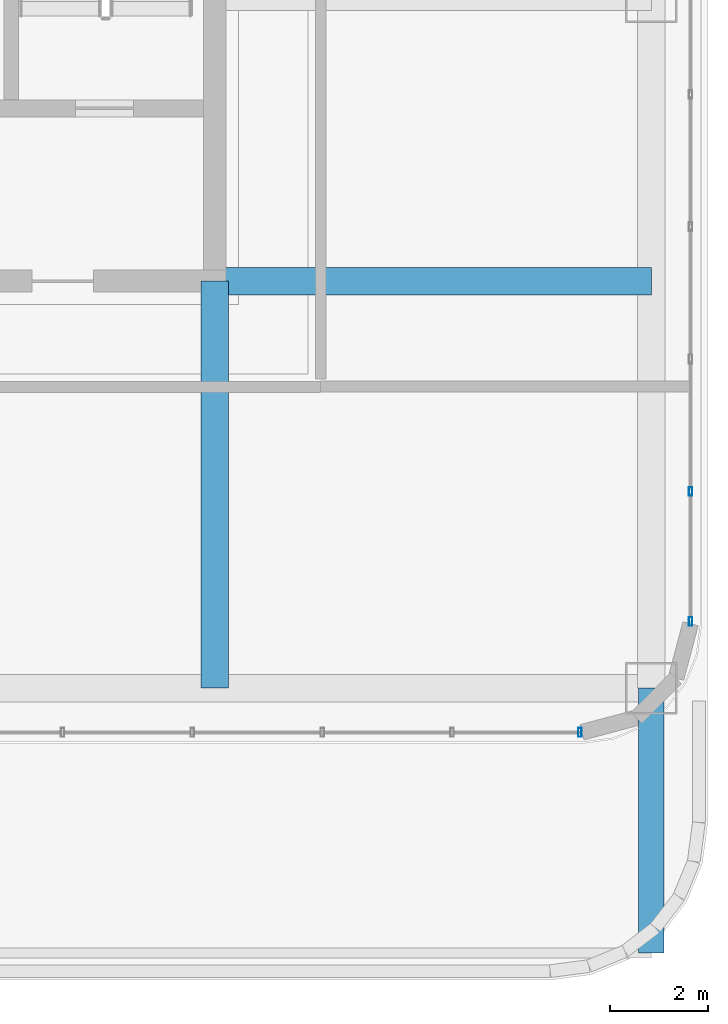
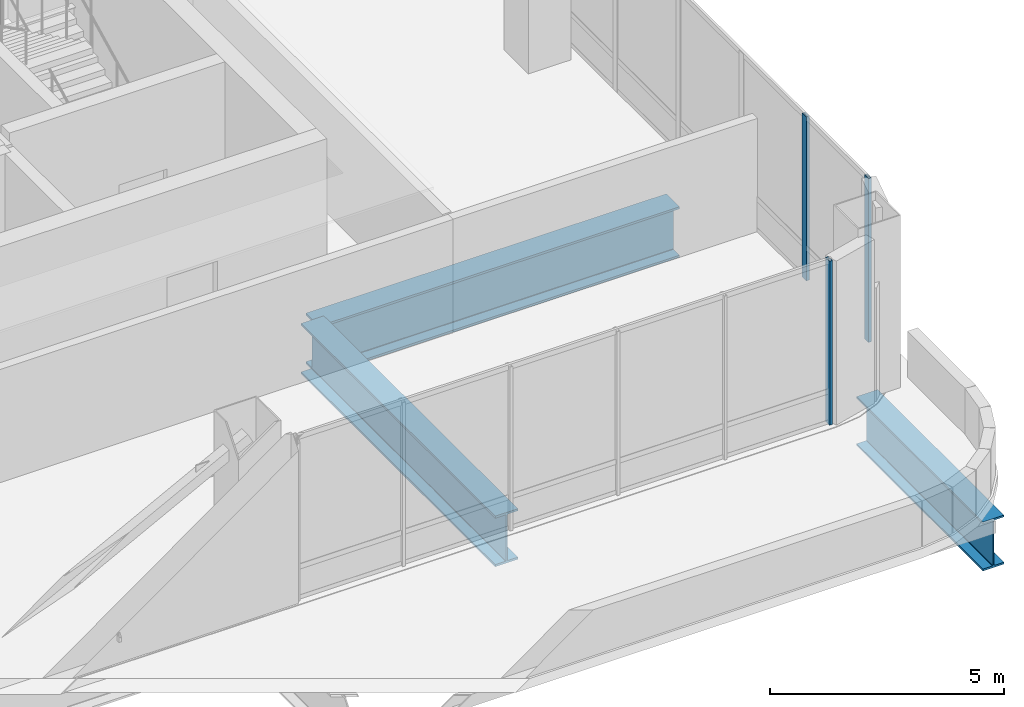
# One storey, part 13 of 33: 3 beams, 3 members, 2 elements without a shape of their own.
"""IFC4 building model written with IfcOpenShell, lengths in metres."""

from ifc_helpers import new_model, si_unit, direction, frame, origin, origin_2d, place, context, subcontext, project, spatial, hollow_rectangle, i_section, extrude, material, material_profile, profile_set, type_object, element, aggregate, save


model = new_model("IFC4")

# Units and contexts
model_context = context("Model", 3, precision=1e-05, world=origin(), true_north=direction((0.0, 1.0)))
body_context = subcontext(model_context, "Body", "Model", "MODEL_VIEW")
ifc_project = project(units=[si_unit("LENGTHUNIT", "METRE"), si_unit("AREAUNIT", "SQUARE_METRE"), si_unit("VOLUMEUNIT", "CUBIC_METRE"), si_unit("PLANEANGLEUNIT", "RADIAN"), si_unit("MASSUNIT", "GRAM", prefix="KILO")], contexts=[model_context])

# Site, building, storey
site_placement = place(None, origin())
site = spatial("IfcSite", under=ifc_project, at=site_placement, CompositionType="ELEMENT")
building_placement = place(site_placement, origin())
building = spatial("IfcBuilding", under=site, at=building_placement, Name="Punatoya Terracotta Tower", CompositionType="ELEMENT")
storey_placement = place(building_placement, frame((0.0, 0.0, 343.800048828125)))
storey = spatial("IfcBuildingStorey", under=building, at=storey_placement, Name="L81", CompositionType="ELEMENT", Elevation=343.800048828125)

# Beams
ifc_material_1 = material(Name="Steel S460", Category="steel")
ifc_material_profile_1 = material_profile(ifc_material_1, i_section(OverallWidth=0.56005859375, OverallDepth=1.320068359375, WebThickness=0.035888671875, FlangeThickness=0.054931640625, FilletRadius=0.01806640625, at=origin_2d()))
ifc_profile_set_1 = profile_set([ifc_material_profile_1], Name="Steel S460")
beam_type_1 = type_object("IfcBeamType", Name="BM-TG-BLK", PredefinedType="BEAM", material=ifc_profile_set_1)
beam_1_placement = place(storey_placement, frame((10.199951171875, -9.199951171875, -0.93994140625), z_axis=(1.0, 0.0, 0.0), x_axis=(0.0, 1.0, 0.0)))
element("IfcBeam", 1, at=beam_1_placement, inside=storey, type_object=beam_type_1, Name="BM-L81-PR-ES", PredefinedType="BEAM", context=body_context, shape_type="SweptSolid", body=[
    extrude(i_section(OverallWidth=0.56005859375, OverallDepth=1.320068359375, WebThickness=0.035888671875, FlangeThickness=0.054931640625, FilletRadius=0.01806640625, at=origin_2d()), origin(), (0.0, 0.0, 1.0), 8.900146484375),
])
beam_2_placement = place(storey_placement, frame((10.199951171875, -17.5, -0.93994140625), z_axis=(0.0, 1.0, 0.0), x_axis=(-1.0, 0.0, 0.0)))
element("IfcBeam", 2, at=beam_2_placement, inside=storey, type_object=beam_type_1, Name="BM-L81-PR-S4", PredefinedType="BEAM", context=body_context, shape_type="SweptSolid", body=[
    extrude(i_section(OverallWidth=0.56005859375, OverallDepth=1.320068359375, WebThickness=0.035888671875, FlangeThickness=0.054931640625, FilletRadius=0.01806640625, at=origin_2d()), origin(), (0.0, 0.0, 1.0), 8.300048828125),
])
ifc_material_profile_2 = material_profile(ifc_material_1, i_section(OverallWidth=0.52001953125, OverallDepth=1.280029296875, WebThickness=0.031982421875, FlangeThickness=0.050048828125, FilletRadius=0.01806640625, at=origin_2d()))
ifc_profile_set_2 = profile_set([ifc_material_profile_2], Name="Steel S460")
beam_type_2 = type_object("IfcBeamType", Name="BM-TG-NCK", PredefinedType="BEAM", material=ifc_profile_set_2)
beam_3_placement = place(storey_placement, frame((19.10009765625, -22.89990234375, -0.920166015625), z_axis=(0.0, 1.0, 0.0), x_axis=(-1.0, 0.0, 0.0)))
element("IfcBeam", 3, at=beam_3_placement, inside=storey, type_object=beam_type_2, Name="BM-L81-CE1", PredefinedType="BEAM", context=body_context, shape_type="SweptSolid", body=[
    extrude(i_section(OverallWidth=0.52001953125, OverallDepth=1.280029296875, WebThickness=0.031982421875, FlangeThickness=0.050048828125, FilletRadius=0.01806640625, at=origin_2d()), origin(), (0.0, 0.0, 1.0), 5.39990234375),
])

# Curtain wall, member
ifc_material_2 = material(Name="Aluminium 6063-T6 + Double Low-E Glass", Category="aluminium")
curtain_wall_type = type_object("IfcCurtainWallType", Name="CW-CRN", PredefinedType="NOTDEFINED", material=ifc_material_2)
curtain_wall_1_placement = place(storey_placement, origin())
curtain_wall_1 = element("IfcCurtainWall", 4, at=curtain_wall_1_placement, inside=storey, type_object=curtain_wall_type, Name="L81 Curtain Wall CW-L81-S01-2", PredefinedType="NOTDEFINED")
ifc_material_3 = material(Name="Aluminium 6063-T6", Category="aluminium")
ifc_material_profile_3 = material_profile(ifc_material_3, hollow_rectangle(XDim=0.070068359375, YDim=0.179931640625, WallThickness=0.00390625, at=origin_2d()))
ifc_profile_set_3 = profile_set([ifc_material_profile_3], Name="Aluminium 6063-T6")
member_type = type_object("IfcMemberType", Name="CW-MUL-M3", PredefinedType="MULLION", material=ifc_profile_set_3)
member_1_placement = place(storey_placement, frame((17.641845703125, -18.39990234375, 0.0), z_axis=(0.0, 0.0, 1.0), x_axis=(1.0, 0.0, 0.0)))
member_1 = element("IfcMember", 5, at=member_1_placement, type_object=member_type, Name="CW-L81-S01-2 Mullion 05", PredefinedType="MULLION", context=body_context, shape_type="SweptSolid", body=[
    extrude(hollow_rectangle(XDim=0.070068359375, YDim=0.179931640625, WallThickness=0.00390625, at=origin_2d()), origin(), (0.0, 0.0, 1.0), 4.280029296875),
])
aggregate(curtain_wall_1, [member_1])

# Curtain wall, members
curtain_wall_2_placement = place(storey_placement, origin())
curtain_wall_2 = element("IfcCurtainWall", 6, at=curtain_wall_2_placement, inside=storey, type_object=curtain_wall_type, Name="L81 Curtain Wall CW-L81-E05-1", PredefinedType="NOTDEFINED")
member_2_placement = place(storey_placement, frame((19.89990234375, -16.141845703125, 0.0), z_axis=(0.0, 0.0, 1.0), x_axis=(1.0, 0.0, 0.0)))
member_2 = element("IfcMember", 7, at=member_2_placement, type_object=member_type, Name="CW-L81-E05-1 Mullion 00", PredefinedType="MULLION", context=body_context, shape_type="SweptSolid", body=[
    extrude(hollow_rectangle(XDim=0.070068359375, YDim=0.179931640625, WallThickness=0.00390625, at=origin_2d()), origin(), (0.0, 0.0, 1.0), 4.280029296875),
])
member_3_placement = place(storey_placement, frame((19.89990234375, -13.489013671875, 0.0), z_axis=(0.0, 0.0, 1.0), x_axis=(1.0, 0.0, 0.0)))
member_3 = element("IfcMember", 8, at=member_3_placement, type_object=member_type, Name="CW-L81-E05-1 Mullion 01", PredefinedType="MULLION", context=body_context, shape_type="SweptSolid", body=[
    extrude(hollow_rectangle(XDim=0.070068359375, YDim=0.179931640625, WallThickness=0.00390625, at=origin_2d()), origin(), (0.0, 0.0, 1.0), 4.280029296875),
])
aggregate(curtain_wall_2, [member_2, member_3])

save(model, "model.ifc")
